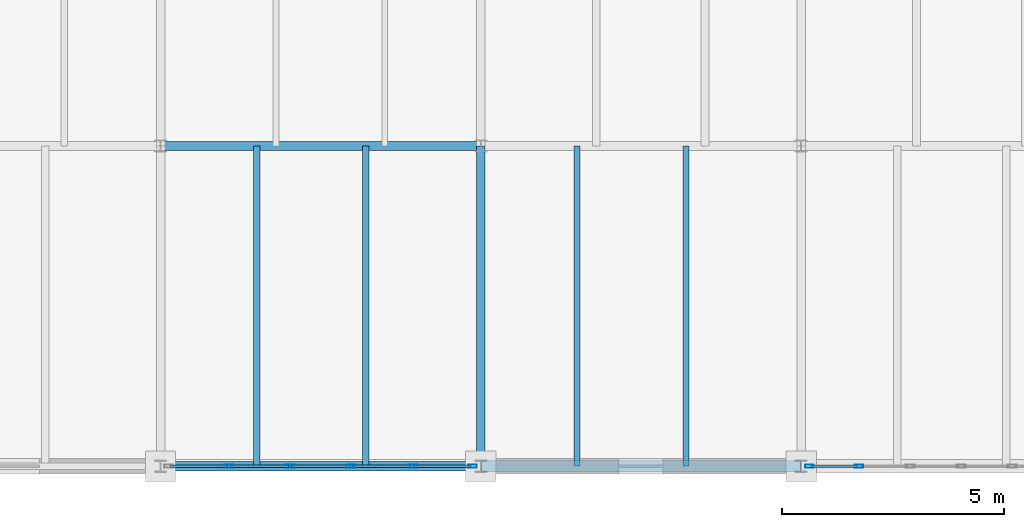
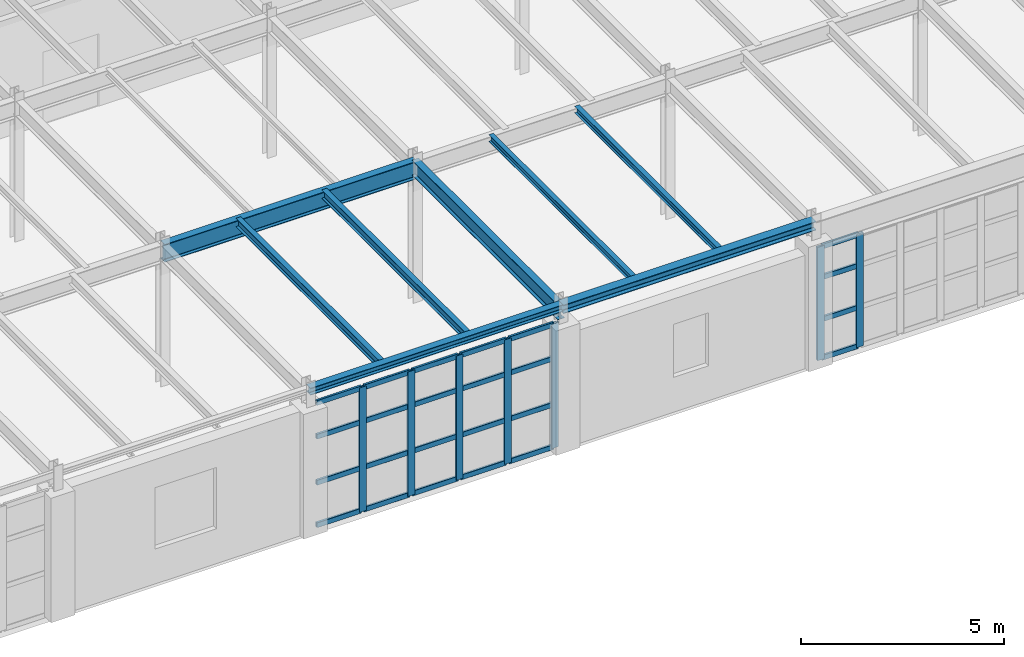
# One storey, part 42 of 137: 31 members, 8 beams, 2 elements without a shape of their own.
"""IFC4 building model written with IfcOpenShell, lengths in metres."""

from ifc_helpers import new_model, si_unit, direction, frame, origin, origin_2d, place, context, subcontext, project, spatial, hollow_rectangle, i_section, extrude, material, layer, layer_set, material_profile, profile_set, type_object, element, aggregate, save


model = new_model("IFC4")

# Units and contexts
model_context = context("Model", 3, precision=1e-05, world=origin(), true_north=direction((0.0, 1.0)))
body_context = subcontext(model_context, "Body", "Model", "MODEL_VIEW")
ifc_project = project(units=[si_unit("LENGTHUNIT", "METRE"), si_unit("AREAUNIT", "SQUARE_METRE"), si_unit("VOLUMEUNIT", "CUBIC_METRE"), si_unit("PLANEANGLEUNIT", "RADIAN"), si_unit("MASSUNIT", "GRAM", prefix="KILO")], contexts=[model_context])

# Site, building, storey
site_placement = place(None, origin())
site = spatial("IfcSite", under=ifc_project, at=site_placement, CompositionType="ELEMENT")
building_placement = place(site_placement, origin())
building = spatial("IfcBuilding", under=site, at=building_placement, Name="Kemerveld Promenade Tramway Depot", CompositionType="ELEMENT")
storey_placement = place(building_placement, frame((0.0, 0.0, 5.39990234375)))
storey = spatial("IfcBuildingStorey", under=building, at=storey_placement, Name="L01", CompositionType="ELEMENT", Elevation=5.39990234375)

# Beams
ifc_material_1 = material(Name="Steel S355", Category="steel")
ifc_material_profile_1 = material_profile(ifc_material_1, i_section(OverallWidth=0.2099609375, OverallDepth=0.53662109375, WebThickness=0.0107421875, FlangeThickness=0.017333984375, FilletRadius=0.0126953125, at=origin_2d()), Name="533x210x101 UB")
ifc_profile_set_1 = profile_set([ifc_material_profile_1], Name="Steel S355")
beam_type_1 = type_object("IfcBeamType", Name="BM-G05", PredefinedType="BEAM", material=ifc_profile_set_1)
beam_1_placement = place(storey_placement, frame((79.199951171875, 7.199951171875, 3.981689453125), z_axis=(1.0, 0.0, 0.0), x_axis=(0.0, 1.0, 0.0)))
element("IfcBeam", 1, at=beam_1_placement, inside=storey, type_object=beam_type_1, Name="BMX-L01-12-13-B", PredefinedType="BEAM", context=body_context, shape_type="SweptSolid", body=[
    extrude(i_section(OverallWidth=0.2099609375, OverallDepth=0.53662109375, WebThickness=0.0107421875, FlangeThickness=0.017333984375, FilletRadius=0.0126953125, at=origin_2d()), origin(), (0.0, 0.0, 1.0), 7.199951171875),
])
ifc_material_profile_2 = material_profile(ifc_material_1, i_section(OverallWidth=0.19140625, OverallDepth=0.4599609375, WebThickness=0.010009765625, FlangeThickness=0.01611328125, FilletRadius=0.01025390625, at=origin_2d()), Name="457x191x82 UB")
ifc_profile_set_2 = profile_set([ifc_material_profile_2], Name="Steel S355")
beam_type_2 = type_object("IfcBeamType", Name="BM-G06", PredefinedType="BEAM", material=ifc_profile_set_2)
beam_2_placement = place(storey_placement, frame((86.39990234375, 0.0, 4.02001953125), z_axis=(0.0, 1.0, 0.0), x_axis=(-1.0, 0.0, 0.0)))
element("IfcBeam", 2, at=beam_2_placement, inside=storey, type_object=beam_type_2, Name="BMY-L01-13-A-B", PredefinedType="BEAM", context=body_context, shape_type="SweptSolid", body=[
    extrude(i_section(OverallWidth=0.19140625, OverallDepth=0.4599609375, WebThickness=0.010009765625, FlangeThickness=0.01611328125, FilletRadius=0.01025390625, at=origin_2d()), origin(), (0.0, 0.0, 1.0), 7.199951171875),
])
ifc_material_profile_3 = material_profile(ifc_material_1, i_section(OverallWidth=0.146484375, OverallDepth=0.256103515625, WebThickness=0.00634765625, FlangeThickness=0.010986328125, FilletRadius=0.007568359375, at=origin_2d()), Name="254x146x37 UB")
ifc_profile_set_3 = profile_set([ifc_material_profile_3], Name="Steel S355")
beam_type_3 = type_object("IfcBeamType", Name="BM-J02", PredefinedType="JOIST", material=ifc_profile_set_3)
for number, where, z_axis, x_axis, name in (
    (3, (81.360107421875, 0.0, 4.1220703125), (0.0, 1.0, 0.0), (-1.0, 0.0, 0.0), "JST-L01-12-A-1"),
    (4, (83.80810546875, 0.0, 4.1220703125), (0.0, 1.0, 0.0), (-1.0, 0.0, 0.0), "JST-L01-12-A-2"),
):
    element("IfcBeam", number, at=place(storey_placement, frame(where, z_axis=z_axis, x_axis=x_axis)), inside=storey, type_object=beam_type_3, Name=name, PredefinedType="JOIST", context=body_context, shape_type="SweptSolid", body=[
        extrude(i_section(OverallWidth=0.146484375, OverallDepth=0.256103515625, WebThickness=0.00634765625, FlangeThickness=0.010986328125, FilletRadius=0.007568359375, at=origin_2d()), origin(), (0.0, 0.0, 1.0), 7.199951171875),
    ])
ifc_material_profile_4 = material_profile(ifc_material_1, i_section(OverallWidth=0.13330078125, OverallDepth=0.203125, WebThickness=0.005615234375, FlangeThickness=0.0078125, FilletRadius=0.007568359375, at=origin_2d()), Name="203x133x25 UB")
ifc_profile_set_4 = profile_set([ifc_material_profile_4], Name="Steel S355")
beam_type_4 = type_object("IfcBeamType", Name="BM-J03", PredefinedType="JOIST", material=ifc_profile_set_4)
for number, where, z_axis, x_axis, name in (
    (5, (88.56005859375, 0.0, 4.1484375), (0.0, 1.0, 0.0), (-1.0, 0.0, 0.0), "JST-L01-13-A-1"),
    (6, (91.008056640625, 0.0, 4.1484375), (0.0, 1.0, 0.0), (-1.0, 0.0, 0.0), "JST-L01-13-A-2"),
):
    element("IfcBeam", number, at=place(storey_placement, frame(where, z_axis=z_axis, x_axis=x_axis)), inside=storey, type_object=beam_type_4, Name=name, PredefinedType="JOIST", context=body_context, shape_type="SweptSolid", body=[
        extrude(i_section(OverallWidth=0.13330078125, OverallDepth=0.203125, WebThickness=0.005615234375, FlangeThickness=0.0078125, FilletRadius=0.007568359375, at=origin_2d()), origin(), (0.0, 0.0, 1.0), 7.199951171875),
    ])
ifc_material_profile_5 = material_profile(ifc_material_1, i_section(OverallWidth=0.205810546875, OverallDepth=0.209716796875, WebThickness=0.009521484375, FlangeThickness=0.01416015625, FilletRadius=0.01025390625, at=origin_2d()), Name="203x203x60 UC")
ifc_profile_set_5 = profile_set([ifc_material_profile_5], Name="Steel S355")
beam_type_5 = type_object("IfcBeamType", Name="BM-LN3", PredefinedType="LINTEL", material=ifc_profile_set_5)
beam_3_placement = place(storey_placement, frame((79.199951171875, 0.0, 4.18017578125), z_axis=(1.0, 0.0, 0.0), x_axis=(0.0, 1.0, 0.0)))
element("IfcBeam", 7, at=beam_3_placement, inside=storey, type_object=beam_type_5, Name="BMX-L01-12-13-A", PredefinedType="LINTEL", context=body_context, shape_type="SweptSolid", body=[
    extrude(i_section(OverallWidth=0.205810546875, OverallDepth=0.209716796875, WebThickness=0.009521484375, FlangeThickness=0.01416015625, FilletRadius=0.01025390625, at=origin_2d()), origin(), (0.0, 0.0, 1.0), 7.199951171875),
])
ifc_material_profile_6 = material_profile(ifc_material_1, i_section(OverallWidth=0.25634765625, OverallDepth=0.26025390625, WebThickness=0.01025390625, FlangeThickness=0.017333984375, FilletRadius=0.0126953125, at=origin_2d()), Name="254x254x89 UC")
ifc_profile_set_6 = profile_set([ifc_material_profile_6], Name="Steel S355")
beam_type_6 = type_object("IfcBeamType", Name="BM-LN4", PredefinedType="LINTEL", material=ifc_profile_set_6)
beam_4_placement = place(storey_placement, frame((86.39990234375, 0.0, 4.155029296875), z_axis=(1.0, 0.0, 0.0), x_axis=(0.0, 1.0, 0.0)))
element("IfcBeam", 8, at=beam_4_placement, inside=storey, type_object=beam_type_6, Name="BMX-L01-13-14-A", PredefinedType="LINTEL", context=body_context, shape_type="SweptSolid", body=[
    extrude(i_section(OverallWidth=0.25634765625, OverallDepth=0.26025390625, WebThickness=0.01025390625, FlangeThickness=0.017333984375, FilletRadius=0.0126953125, at=origin_2d()), origin(), (0.0, 0.0, 1.0), 7.2001953125),
])

# Curtain wall, members
ifc_material_2 = material(Name="Bronze anodised aluminium and solar glass", Category="aluminium")
ifc_layer_1 = layer(ifc_material_2, 0.199951171875)
ifc_layer_set_1 = layer_set([ifc_layer_1], Name="CW-SYS-12")
curtain_wall_type_1 = type_object("IfcCurtainWallType", Name="CW-SYS-12", PredefinedType="USERDEFINED", material=ifc_layer_set_1)
curtain_wall_1_placement = place(storey_placement, origin())
curtain_wall_1 = element("IfcCurtainWall", 9, at=curtain_wall_1_placement, inside=storey, type_object=curtain_wall_type_1, Name="CW-L01-V4S-09", ObjectType="GLAZED_CURTAIN_WALL", PredefinedType="USERDEFINED")
ifc_material_3 = material(Name="Bronze anodised aluminium", Category="aluminium")
ifc_material_profile_7 = material_profile(ifc_material_3, hollow_rectangle(XDim=0.074951171875, YDim=0.199951171875, WallThickness=0.0048828125, InnerFilletRadius=0.001953125, OuterFilletRadius=0.0048828125, at=origin_2d()), Name="CW-MUL-200x75")
ifc_profile_set_7 = profile_set([ifc_material_profile_7], Name="Bronze anodised aluminium")
member_type_1 = type_object("IfcMemberType", Name="CW-MUL-B", PredefinedType="MULLION", material=ifc_profile_set_7)
member_1_placement = place(storey_placement, frame((94.900146484375, 0.0, 0.0), z_axis=(0.0, 0.0, 1.0), x_axis=(0.0, -1.0, 0.0)))
member_1 = element("IfcMember", 10, at=member_1_placement, type_object=member_type_1, Name="CW12 mullion 6", PredefinedType="MULLION", context=body_context, shape_type="SweptSolid", body=[
    extrude(hollow_rectangle(XDim=0.074951171875, YDim=0.199951171875, WallThickness=0.0048828125, InnerFilletRadius=0.001953125, OuterFilletRadius=0.0048828125, at=origin_2d()), origin(), (0.0, 0.0, 1.0), 3.414306640625),
])
member_2_placement = place(storey_placement, frame((93.78759765625, 0.0, 0.0), z_axis=(0.0, 0.0, 1.0), x_axis=(0.0, -1.0, 0.0)))
member_2 = element("IfcMember", 11, at=member_2_placement, type_object=member_type_1, Name="CW12 mullion 7", PredefinedType="MULLION", context=body_context, shape_type="SweptSolid", body=[
    extrude(hollow_rectangle(XDim=0.074951171875, YDim=0.199951171875, WallThickness=0.0048828125, InnerFilletRadius=0.001953125, OuterFilletRadius=0.0048828125, at=origin_2d()), origin(), (0.0, 0.0, 1.0), 3.414306640625),
])

ifc_layer_2 = layer(ifc_material_2, 0.199951171875)
ifc_layer_set_2 = layer_set([ifc_layer_2], Name="CW-SYS-14")
curtain_wall_type_2 = type_object("IfcCurtainWallType", Name="CW-SYS-14", PredefinedType="USERDEFINED", material=ifc_layer_set_2)
curtain_wall_2_placement = place(storey_placement, origin())
curtain_wall_2 = element("IfcCurtainWall", 12, at=curtain_wall_2_placement, inside=storey, type_object=curtain_wall_type_2, Name="CW-L01-V4S-11", ObjectType="GLAZED_CURTAIN_WALL", PredefinedType="USERDEFINED")
member_3_placement = place(storey_placement, frame((86.21240234375, 0.0, 0.0), z_axis=(0.0, 0.0, 1.0), x_axis=(0.0, -1.0, 0.0)))
member_3 = element("IfcMember", 13, at=member_3_placement, type_object=member_type_1, Name="CW14 mullion 1", PredefinedType="MULLION", context=body_context, shape_type="SweptSolid", body=[
    extrude(hollow_rectangle(XDim=0.074951171875, YDim=0.199951171875, WallThickness=0.0048828125, InnerFilletRadius=0.001953125, OuterFilletRadius=0.0048828125, at=origin_2d()), origin(), (0.0, 0.0, 1.0), 3.75),
])
member_4_placement = place(storey_placement, frame((84.869873046875, 0.0, 0.0), z_axis=(0.0, 0.0, 1.0), x_axis=(0.0, -1.0, 0.0)))
member_4 = element("IfcMember", 14, at=member_4_placement, type_object=member_type_1, Name="CW14 mullion 2", PredefinedType="MULLION", context=body_context, shape_type="SweptSolid", body=[
    extrude(hollow_rectangle(XDim=0.074951171875, YDim=0.199951171875, WallThickness=0.0048828125, InnerFilletRadius=0.001953125, OuterFilletRadius=0.0048828125, at=origin_2d()), origin(), (0.0, 0.0, 1.0), 3.75),
])
member_5_placement = place(storey_placement, frame((83.489990234375, 0.0, 0.0), z_axis=(0.0, 0.0, 1.0), x_axis=(0.0, -1.0, 0.0)))
member_5 = element("IfcMember", 15, at=member_5_placement, type_object=member_type_1, Name="CW14 mullion 3", PredefinedType="MULLION", context=body_context, shape_type="SweptSolid", body=[
    extrude(hollow_rectangle(XDim=0.074951171875, YDim=0.199951171875, WallThickness=0.0048828125, InnerFilletRadius=0.001953125, OuterFilletRadius=0.0048828125, at=origin_2d()), origin(), (0.0, 0.0, 1.0), 3.75),
])
member_6_placement = place(storey_placement, frame((82.110107421875, 0.0, 0.0), z_axis=(0.0, 0.0, 1.0), x_axis=(0.0, -1.0, 0.0)))
member_6 = element("IfcMember", 16, at=member_6_placement, type_object=member_type_1, Name="CW14 mullion 4", PredefinedType="MULLION", context=body_context, shape_type="SweptSolid", body=[
    extrude(hollow_rectangle(XDim=0.074951171875, YDim=0.199951171875, WallThickness=0.0048828125, InnerFilletRadius=0.001953125, OuterFilletRadius=0.0048828125, at=origin_2d()), origin(), (0.0, 0.0, 1.0), 3.75),
])
member_7_placement = place(storey_placement, frame((80.72998046875, 0.0, 0.0), z_axis=(0.0, 0.0, 1.0), x_axis=(0.0, -1.0, 0.0)))
member_7 = element("IfcMember", 17, at=member_7_placement, type_object=member_type_1, Name="CW14 mullion 5", PredefinedType="MULLION", context=body_context, shape_type="SweptSolid", body=[
    extrude(hollow_rectangle(XDim=0.074951171875, YDim=0.199951171875, WallThickness=0.0048828125, InnerFilletRadius=0.001953125, OuterFilletRadius=0.0048828125, at=origin_2d()), origin(), (0.0, 0.0, 1.0), 3.75),
])

# Member
ifc_material_profile_8 = material_profile(ifc_material_3, hollow_rectangle(XDim=0.06494140625, YDim=0.14990234375, WallThickness=0.00439453125, InnerFilletRadius=0.001953125, OuterFilletRadius=0.00439453125, at=origin_2d()), Name="CW-TRN-150x65")
ifc_profile_set_8 = profile_set([ifc_material_profile_8], Name="Bronze anodised aluminium")
member_type_2 = type_object("IfcMemberType", Name="CW-TRN-B", PredefinedType="USERDEFINED", material=ifc_profile_set_8)
member_8_placement = place(storey_placement, frame((94.862548828125, 0.0, 0.03271484375), z_axis=(-1.0, 0.0, 0.0), x_axis=(0.0, -1.0, 0.0)))
member_8 = element("IfcMember", 18, at=member_8_placement, type_object=member_type_2, Name="CW12 transom 6.1", ObjectType="TRANSOM", PredefinedType="USERDEFINED", context=body_context, shape_type="SweptSolid", body=[
    extrude(hollow_rectangle(XDim=0.06494140625, YDim=0.14990234375, WallThickness=0.00439453125, InnerFilletRadius=0.001953125, OuterFilletRadius=0.00439453125, at=origin_2d()), origin(), (0.0, 0.0, 1.0), 1.037353515625),
])

member_9_placement = place(storey_placement, frame((94.862548828125, 0.0, 1.195068359375), z_axis=(-1.0, 0.0, 0.0), x_axis=(0.0, -1.0, 0.0)))
member_9 = element("IfcMember", 19, at=member_9_placement, type_object=member_type_2, Name="CW12 transom 6.2", ObjectType="TRANSOM", PredefinedType="USERDEFINED", context=body_context, shape_type="SweptSolid", body=[
    extrude(hollow_rectangle(XDim=0.06494140625, YDim=0.14990234375, WallThickness=0.00439453125, InnerFilletRadius=0.001953125, OuterFilletRadius=0.00439453125, at=origin_2d()), origin(), (0.0, 0.0, 1.0), 1.037353515625),
])

member_10_placement = place(storey_placement, frame((94.862548828125, 0.0, 2.4580078125), z_axis=(-1.0, 0.0, 0.0), x_axis=(0.0, -1.0, 0.0)))
member_10 = element("IfcMember", 20, at=member_10_placement, type_object=member_type_2, Name="CW12 transom 6.3", ObjectType="TRANSOM", PredefinedType="USERDEFINED", context=body_context, shape_type="SweptSolid", body=[
    extrude(hollow_rectangle(XDim=0.06494140625, YDim=0.14990234375, WallThickness=0.00439453125, InnerFilletRadius=0.001953125, OuterFilletRadius=0.00439453125, at=origin_2d()), origin(), (0.0, 0.0, 1.0), 1.037353515625),
])

member_11_placement = place(storey_placement, frame((94.862548828125, 0.0, 3.3818359375), z_axis=(-1.0, 0.0, 0.0), x_axis=(0.0, -1.0, 0.0)))
member_11 = element("IfcMember", 21, at=member_11_placement, type_object=member_type_2, Name="CW12 transom 6.4", ObjectType="TRANSOM", PredefinedType="USERDEFINED", context=body_context, shape_type="SweptSolid", body=[
    extrude(hollow_rectangle(XDim=0.06494140625, YDim=0.14990234375, WallThickness=0.00439453125, InnerFilletRadius=0.001953125, OuterFilletRadius=0.00439453125, at=origin_2d()), origin(), (0.0, 0.0, 1.0), 1.037353515625),
])

aggregate(curtain_wall_1, [member_1, member_2, member_8, member_9, member_10, member_11])

member_12_placement = place(storey_placement, frame((86.1748046875, 0.0, 0.03271484375), z_axis=(-1.0, 0.0, 0.0), x_axis=(0.0, -1.0, 0.0)))
member_12 = element("IfcMember", 22, at=member_12_placement, type_object=member_type_2, Name="CW14 transom 1.1", ObjectType="TRANSOM", PredefinedType="USERDEFINED", context=body_context, shape_type="SweptSolid", body=[
    extrude(hollow_rectangle(XDim=0.06494140625, YDim=0.14990234375, WallThickness=0.00439453125, InnerFilletRadius=0.001953125, OuterFilletRadius=0.00439453125, at=origin_2d()), origin(), (0.0, 0.0, 1.0), 1.267333984375),
])

member_13_placement = place(storey_placement, frame((86.1748046875, 0.0, 1.31298828125), z_axis=(-1.0, 0.0, 0.0), x_axis=(0.0, -1.0, 0.0)))
member_13 = element("IfcMember", 23, at=member_13_placement, type_object=member_type_2, Name="CW14 transom 1.2", ObjectType="TRANSOM", PredefinedType="USERDEFINED", context=body_context, shape_type="SweptSolid", body=[
    extrude(hollow_rectangle(XDim=0.06494140625, YDim=0.14990234375, WallThickness=0.00439453125, InnerFilletRadius=0.001953125, OuterFilletRadius=0.00439453125, at=origin_2d()), origin(), (0.0, 0.0, 1.0), 1.267333984375),
])

member_14_placement = place(storey_placement, frame((86.1748046875, 0.0, 2.7001953125), z_axis=(-1.0, 0.0, 0.0), x_axis=(0.0, -1.0, 0.0)))
member_14 = element("IfcMember", 24, at=member_14_placement, type_object=member_type_2, Name="CW14 transom 1.3", ObjectType="TRANSOM", PredefinedType="USERDEFINED", context=body_context, shape_type="SweptSolid", body=[
    extrude(hollow_rectangle(XDim=0.06494140625, YDim=0.14990234375, WallThickness=0.00439453125, InnerFilletRadius=0.001953125, OuterFilletRadius=0.00439453125, at=origin_2d()), origin(), (0.0, 0.0, 1.0), 1.267333984375),
])

member_15_placement = place(storey_placement, frame((86.1748046875, 0.0, 3.717529296875), z_axis=(-1.0, 0.0, 0.0), x_axis=(0.0, -1.0, 0.0)))
member_15 = element("IfcMember", 25, at=member_15_placement, type_object=member_type_2, Name="CW14 transom 1.4", ObjectType="TRANSOM", PredefinedType="USERDEFINED", context=body_context, shape_type="SweptSolid", body=[
    extrude(hollow_rectangle(XDim=0.06494140625, YDim=0.14990234375, WallThickness=0.00439453125, InnerFilletRadius=0.001953125, OuterFilletRadius=0.00439453125, at=origin_2d()), origin(), (0.0, 0.0, 1.0), 1.267333984375),
])

member_16_placement = place(storey_placement, frame((84.83251953125, 0.0, 0.03271484375), z_axis=(-1.0, 0.0, 0.0), x_axis=(0.0, -1.0, 0.0)))
member_16 = element("IfcMember", 26, at=member_16_placement, type_object=member_type_2, Name="CW14 transom 2.1", ObjectType="TRANSOM", PredefinedType="USERDEFINED", context=body_context, shape_type="SweptSolid", body=[
    extrude(hollow_rectangle(XDim=0.06494140625, YDim=0.14990234375, WallThickness=0.00439453125, InnerFilletRadius=0.001953125, OuterFilletRadius=0.00439453125, at=origin_2d()), origin(), (0.0, 0.0, 1.0), 1.304931640625),
])

member_17_placement = place(storey_placement, frame((84.83251953125, 0.0, 1.31298828125), z_axis=(-1.0, 0.0, 0.0), x_axis=(0.0, -1.0, 0.0)))
member_17 = element("IfcMember", 27, at=member_17_placement, type_object=member_type_2, Name="CW14 transom 2.2", ObjectType="TRANSOM", PredefinedType="USERDEFINED", context=body_context, shape_type="SweptSolid", body=[
    extrude(hollow_rectangle(XDim=0.06494140625, YDim=0.14990234375, WallThickness=0.00439453125, InnerFilletRadius=0.001953125, OuterFilletRadius=0.00439453125, at=origin_2d()), origin(), (0.0, 0.0, 1.0), 1.304931640625),
])

member_18_placement = place(storey_placement, frame((84.83251953125, 0.0, 2.7001953125), z_axis=(-1.0, 0.0, 0.0), x_axis=(0.0, -1.0, 0.0)))
member_18 = element("IfcMember", 28, at=member_18_placement, type_object=member_type_2, Name="CW14 transom 2.3", ObjectType="TRANSOM", PredefinedType="USERDEFINED", context=body_context, shape_type="SweptSolid", body=[
    extrude(hollow_rectangle(XDim=0.06494140625, YDim=0.14990234375, WallThickness=0.00439453125, InnerFilletRadius=0.001953125, OuterFilletRadius=0.00439453125, at=origin_2d()), origin(), (0.0, 0.0, 1.0), 1.304931640625),
])

member_19_placement = place(storey_placement, frame((84.83251953125, 0.0, 3.717529296875), z_axis=(-1.0, 0.0, 0.0), x_axis=(0.0, -1.0, 0.0)))
member_19 = element("IfcMember", 29, at=member_19_placement, type_object=member_type_2, Name="CW14 transom 2.4", ObjectType="TRANSOM", PredefinedType="USERDEFINED", context=body_context, shape_type="SweptSolid", body=[
    extrude(hollow_rectangle(XDim=0.06494140625, YDim=0.14990234375, WallThickness=0.00439453125, InnerFilletRadius=0.001953125, OuterFilletRadius=0.00439453125, at=origin_2d()), origin(), (0.0, 0.0, 1.0), 1.304931640625),
])

member_20_placement = place(storey_placement, frame((83.452392578125, 0.0, 0.03271484375), z_axis=(-1.0, 0.0, 0.0), x_axis=(0.0, -1.0, 0.0)))
member_20 = element("IfcMember", 30, at=member_20_placement, type_object=member_type_2, Name="CW14 transom 3.1", ObjectType="TRANSOM", PredefinedType="USERDEFINED", context=body_context, shape_type="SweptSolid", body=[
    extrude(hollow_rectangle(XDim=0.06494140625, YDim=0.14990234375, WallThickness=0.00439453125, InnerFilletRadius=0.001953125, OuterFilletRadius=0.00439453125, at=origin_2d()), origin(), (0.0, 0.0, 1.0), 1.304931640625),
])

member_21_placement = place(storey_placement, frame((83.452392578125, 0.0, 1.31298828125), z_axis=(-1.0, 0.0, 0.0), x_axis=(0.0, -1.0, 0.0)))
member_21 = element("IfcMember", 31, at=member_21_placement, type_object=member_type_2, Name="CW14 transom 3.2", ObjectType="TRANSOM", PredefinedType="USERDEFINED", context=body_context, shape_type="SweptSolid", body=[
    extrude(hollow_rectangle(XDim=0.06494140625, YDim=0.14990234375, WallThickness=0.00439453125, InnerFilletRadius=0.001953125, OuterFilletRadius=0.00439453125, at=origin_2d()), origin(), (0.0, 0.0, 1.0), 1.304931640625),
])

member_22_placement = place(storey_placement, frame((83.452392578125, 0.0, 2.7001953125), z_axis=(-1.0, 0.0, 0.0), x_axis=(0.0, -1.0, 0.0)))
member_22 = element("IfcMember", 32, at=member_22_placement, type_object=member_type_2, Name="CW14 transom 3.3", ObjectType="TRANSOM", PredefinedType="USERDEFINED", context=body_context, shape_type="SweptSolid", body=[
    extrude(hollow_rectangle(XDim=0.06494140625, YDim=0.14990234375, WallThickness=0.00439453125, InnerFilletRadius=0.001953125, OuterFilletRadius=0.00439453125, at=origin_2d()), origin(), (0.0, 0.0, 1.0), 1.304931640625),
])

member_23_placement = place(storey_placement, frame((83.452392578125, 0.0, 3.717529296875), z_axis=(-1.0, 0.0, 0.0), x_axis=(0.0, -1.0, 0.0)))
member_23 = element("IfcMember", 33, at=member_23_placement, type_object=member_type_2, Name="CW14 transom 3.4", ObjectType="TRANSOM", PredefinedType="USERDEFINED", context=body_context, shape_type="SweptSolid", body=[
    extrude(hollow_rectangle(XDim=0.06494140625, YDim=0.14990234375, WallThickness=0.00439453125, InnerFilletRadius=0.001953125, OuterFilletRadius=0.00439453125, at=origin_2d()), origin(), (0.0, 0.0, 1.0), 1.304931640625),
])

member_24_placement = place(storey_placement, frame((82.072509765625, 0.0, 0.03271484375), z_axis=(-1.0, 0.0, 0.0), x_axis=(0.0, -1.0, 0.0)))
member_24 = element("IfcMember", 34, at=member_24_placement, type_object=member_type_2, Name="CW14 transom 4.1", ObjectType="TRANSOM", PredefinedType="USERDEFINED", context=body_context, shape_type="SweptSolid", body=[
    extrude(hollow_rectangle(XDim=0.06494140625, YDim=0.14990234375, WallThickness=0.00439453125, InnerFilletRadius=0.001953125, OuterFilletRadius=0.00439453125, at=origin_2d()), origin(), (0.0, 0.0, 1.0), 1.304931640625),
])

member_25_placement = place(storey_placement, frame((82.072509765625, 0.0, 1.31298828125), z_axis=(-1.0, 0.0, 0.0), x_axis=(0.0, -1.0, 0.0)))
member_25 = element("IfcMember", 35, at=member_25_placement, type_object=member_type_2, Name="CW14 transom 4.2", ObjectType="TRANSOM", PredefinedType="USERDEFINED", context=body_context, shape_type="SweptSolid", body=[
    extrude(hollow_rectangle(XDim=0.06494140625, YDim=0.14990234375, WallThickness=0.00439453125, InnerFilletRadius=0.001953125, OuterFilletRadius=0.00439453125, at=origin_2d()), origin(), (0.0, 0.0, 1.0), 1.304931640625),
])

member_26_placement = place(storey_placement, frame((82.072509765625, 0.0, 2.7001953125), z_axis=(-1.0, 0.0, 0.0), x_axis=(0.0, -1.0, 0.0)))
member_26 = element("IfcMember", 36, at=member_26_placement, type_object=member_type_2, Name="CW14 transom 4.3", ObjectType="TRANSOM", PredefinedType="USERDEFINED", context=body_context, shape_type="SweptSolid", body=[
    extrude(hollow_rectangle(XDim=0.06494140625, YDim=0.14990234375, WallThickness=0.00439453125, InnerFilletRadius=0.001953125, OuterFilletRadius=0.00439453125, at=origin_2d()), origin(), (0.0, 0.0, 1.0), 1.304931640625),
])

member_27_placement = place(storey_placement, frame((82.072509765625, 0.0, 3.717529296875), z_axis=(-1.0, 0.0, 0.0), x_axis=(0.0, -1.0, 0.0)))
member_27 = element("IfcMember", 37, at=member_27_placement, type_object=member_type_2, Name="CW14 transom 4.4", ObjectType="TRANSOM", PredefinedType="USERDEFINED", context=body_context, shape_type="SweptSolid", body=[
    extrude(hollow_rectangle(XDim=0.06494140625, YDim=0.14990234375, WallThickness=0.00439453125, InnerFilletRadius=0.001953125, OuterFilletRadius=0.00439453125, at=origin_2d()), origin(), (0.0, 0.0, 1.0), 1.304931640625),
])

member_28_placement = place(storey_placement, frame((80.692626953125, 0.0, 0.03271484375), z_axis=(-1.0, 0.0, 0.0), x_axis=(0.0, -1.0, 0.0)))
member_28 = element("IfcMember", 38, at=member_28_placement, type_object=member_type_2, Name="CW14 transom 5.1", ObjectType="TRANSOM", PredefinedType="USERDEFINED", context=body_context, shape_type="SweptSolid", body=[
    extrude(hollow_rectangle(XDim=0.06494140625, YDim=0.14990234375, WallThickness=0.00439453125, InnerFilletRadius=0.001953125, OuterFilletRadius=0.00439453125, at=origin_2d()), origin(), (0.0, 0.0, 1.0), 1.267578125),
])

member_29_placement = place(storey_placement, frame((80.692626953125, 0.0, 1.31298828125), z_axis=(-1.0, 0.0, 0.0), x_axis=(0.0, -1.0, 0.0)))
member_29 = element("IfcMember", 39, at=member_29_placement, type_object=member_type_2, Name="CW14 transom 5.2", ObjectType="TRANSOM", PredefinedType="USERDEFINED", context=body_context, shape_type="SweptSolid", body=[
    extrude(hollow_rectangle(XDim=0.06494140625, YDim=0.14990234375, WallThickness=0.00439453125, InnerFilletRadius=0.001953125, OuterFilletRadius=0.00439453125, at=origin_2d()), origin(), (0.0, 0.0, 1.0), 1.267578125),
])

member_30_placement = place(storey_placement, frame((80.692626953125, 0.0, 2.7001953125), z_axis=(-1.0, 0.0, 0.0), x_axis=(0.0, -1.0, 0.0)))
member_30 = element("IfcMember", 40, at=member_30_placement, type_object=member_type_2, Name="CW14 transom 5.3", ObjectType="TRANSOM", PredefinedType="USERDEFINED", context=body_context, shape_type="SweptSolid", body=[
    extrude(hollow_rectangle(XDim=0.06494140625, YDim=0.14990234375, WallThickness=0.00439453125, InnerFilletRadius=0.001953125, OuterFilletRadius=0.00439453125, at=origin_2d()), origin(), (0.0, 0.0, 1.0), 1.267578125),
])

member_31_placement = place(storey_placement, frame((80.692626953125, 0.0, 3.717529296875), z_axis=(-1.0, 0.0, 0.0), x_axis=(0.0, -1.0, 0.0)))
member_31 = element("IfcMember", 41, at=member_31_placement, type_object=member_type_2, Name="CW14 transom 5.4", ObjectType="TRANSOM", PredefinedType="USERDEFINED", context=body_context, shape_type="SweptSolid", body=[
    extrude(hollow_rectangle(XDim=0.06494140625, YDim=0.14990234375, WallThickness=0.00439453125, InnerFilletRadius=0.001953125, OuterFilletRadius=0.00439453125, at=origin_2d()), origin(), (0.0, 0.0, 1.0), 1.267578125),
])

aggregate(curtain_wall_2, [member_3, member_4, member_5, member_6, member_7, member_12, member_13, member_14, member_15, member_16, member_17, member_18, member_19, member_20, member_21, member_22, member_23, member_24, member_25, member_26, member_27, member_28, member_29, member_30, member_31])

save(model, "model.ifc")
